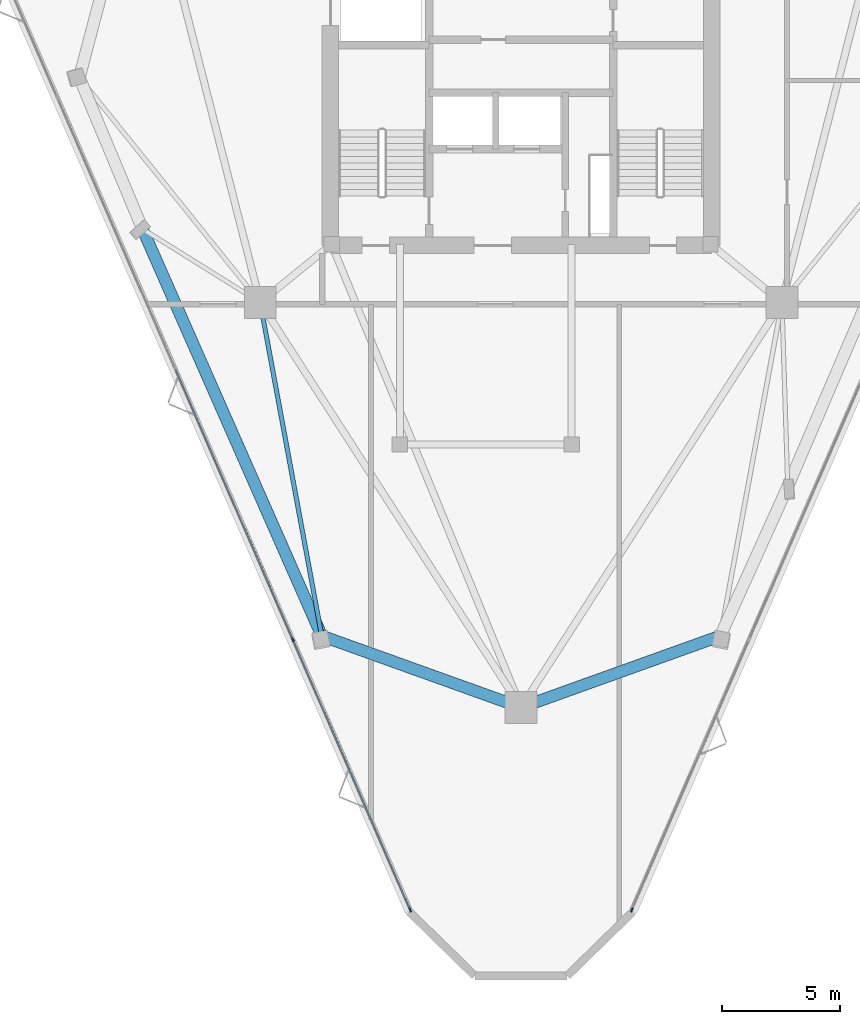
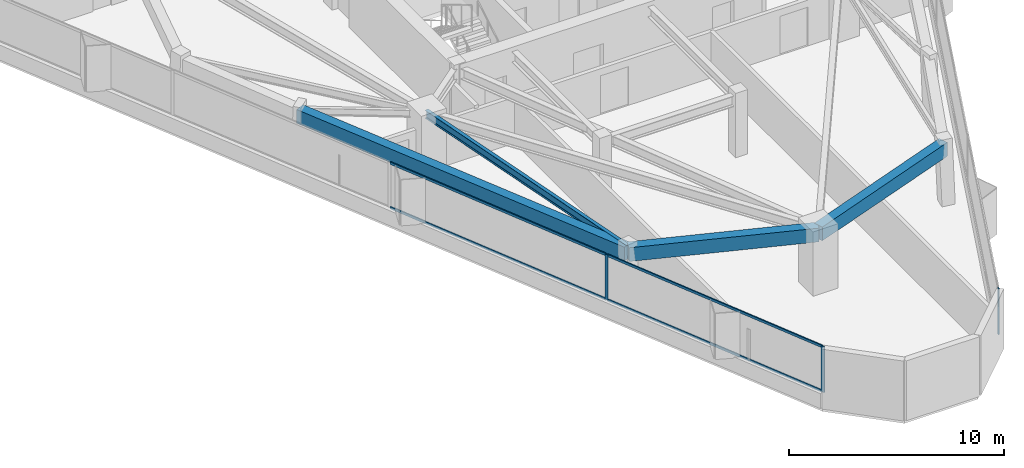
# One storey, part 2 of 12: 7 members, 4 beams, 2 elements without a shape of their own.
"""IFC4 building model written with IfcOpenShell, lengths in metres."""

import ifcopenshell
import ifcopenshell.guid

model = None  # the IFC model being written
_history = None  # IfcOwnerHistory: only IFC2X3 demands one
_inside = {}  # id of a spatial element -> (the spatial element, [elements in it])
_under = {}  # id of a project, library or spatial element -> (it, [spatial elements below it])
_declared = {}  # id of a project -> (the project, [libraries it declares])
_typed = {}  # id of a type object -> (the type object, [elements of that type])
_made_of = {}  # id of a material, layer set ... -> (it, [elements and type objects made of it])


def new_model(schema):
    """Start an empty IFC model of exactly this schema.

    Asked for "IFC4X3", IfcOpenShell would pick the latest addendum, in which some entities
    have other attributes; the version numbers below select the first issue.
    IFC2X3 requires an IfcOwnerHistory on every rooted entity: one is made here for all.
    """
    global model, _history
    if schema == "IFC4X3":
        model = ifcopenshell.file(schema_version=(4, 3, 0, 0))
    else:
        model = ifcopenshell.file(schema=schema)
    _inside.clear()
    _under.clear()
    _declared.clear()
    _typed.clear()
    _made_of.clear()
    _history = None
    if model.schema == "IFC2X3":
        org = make("IfcOrganization", Name="unknown")
        user = make(
            "IfcPersonAndOrganization",
            ThePerson=make("IfcPerson", FamilyName="unknown"),
            TheOrganization=org,
        )
        app = make(
            "IfcApplication",
            ApplicationDeveloper=org,
            Version="unknown",
            ApplicationFullName="unknown",
            ApplicationIdentifier="unknown",
        )
        _history = make(
            "IfcOwnerHistory",
            OwningUser=user,
            OwningApplication=app,
            ChangeAction="ADDED",
            CreationDate=0,
        )
    return model


def make(cls, **values):
    """One entity of the class cls with the attributes given. An attribute that is None is left unset."""
    return model.create_entity(
        cls, **{name: value for name, value in values.items() if value is not None}
    )


def rooted(cls, **values):
    """An entity with a GlobalId (a new one), such as an element, a storey or a relation."""
    return make(cls, GlobalId=ifcopenshell.guid.new(), OwnerHistory=_history, **values)


def si_unit(unit_type, name, prefix=None):
    """IfcSIUnit, for example si_unit("LENGTHUNIT", "METRE", prefix="MILLI")."""
    return make("IfcSIUnit", UnitType=unit_type, Prefix=prefix, Name=name)


def assignment(units):
    """IfcUnitAssignment: the units of a project."""
    return None if units is None else make("IfcUnitAssignment", Units=units)


def point(xyz):
    """IfcCartesianPoint."""
    return None if xyz is None else make("IfcCartesianPoint", Coordinates=xyz)


def direction(xyz):
    """IfcDirection."""
    return None if xyz is None else make("IfcDirection", DirectionRatios=xyz)


def frame(location, z_axis=None, x_axis=None):
    """IfcAxis2Placement3D, a coordinate frame: its origin and axes. An axis left out is left unset."""
    return make(
        "IfcAxis2Placement3D",
        Location=point(location),
        Axis=direction(z_axis),
        RefDirection=direction(x_axis),
    )


def frame_2d(location, x_axis=None):
    """IfcAxis2Placement2D, a coordinate frame in the plane: its origin and x axis."""
    return make(
        "IfcAxis2Placement2D", Location=point(location), RefDirection=direction(x_axis)
    )


def origin():
    """The frame at (0, 0, 0) with its axes left unset."""
    return frame((0.0, 0.0, 0.0))


def origin_2d():
    """The frame at (0, 0) in the plane with its x axis left unset."""
    return frame_2d((0.0, 0.0))


def place(relative_to, where):
    """IfcLocalPlacement: puts the frame where relative to a parent placement (None: the world)."""
    return make(
        "IfcLocalPlacement", PlacementRelTo=relative_to, RelativePlacement=where
    )


def context(
    kind, dimensions, precision=None, world=None, true_north=None, identifier=None
):
    """IfcGeometricRepresentationContext, for example the 3D "Model" context."""
    return make(
        "IfcGeometricRepresentationContext",
        ContextIdentifier=identifier,
        ContextType=kind,
        CoordinateSpaceDimension=dimensions,
        Precision=precision,
        WorldCoordinateSystem=world,
        TrueNorth=true_north,
    )


def subcontext(parent, identifier, kind, view, scale=None):
    """IfcGeometricRepresentationSubContext, for example "Body" below "Model"."""
    return make(
        "IfcGeometricRepresentationSubContext",
        ContextIdentifier=identifier,
        ContextType=kind,
        ParentContext=parent,
        TargetScale=scale,
        TargetView=view,
    )


def project(units=None, contexts=None):
    """IfcProject with its units and contexts."""
    return rooted(
        "IfcProject",
        Name="project",
        RepresentationContexts=contexts,
        UnitsInContext=assignment(units),
    )


def spatial(cls, under=None, at=None, **own):
    """A site, building, storey or space (cls), placed at a placement, below another one or the project."""
    s = rooted(cls, ObjectPlacement=at, **own)
    if under is not None:
        _under.setdefault(under.id(), (under, []))[1].append(s)
    return s


def profile(cls, at=None, kind="AREA", **sizes):
    """A parametric profile (cls). Its sizes go by their IFC names, for example OverallWidth=200.0."""
    return make(cls, ProfileType=kind, Position=at, **sizes)


def rectangle(**sizes):
    """IfcRectangleProfileDef."""
    return profile("IfcRectangleProfileDef", **sizes)


def i_section(**sizes):
    """IfcIShapeProfileDef."""
    return profile("IfcIShapeProfileDef", **sizes)


def extrude(swept, where, along, depth):
    """IfcExtrudedAreaSolid: the profile swept, set in the frame where, extruded along a direction by depth."""
    return make(
        "IfcExtrudedAreaSolid",
        SweptArea=swept,
        Position=where,
        ExtrudedDirection=direction(along),
        Depth=depth,
    )


def shape(context_of_items, identifier, shape_type, items):
    """IfcShapeRepresentation: the items that make up one representation, for example the "Body"."""
    return make(
        "IfcShapeRepresentation",
        ContextOfItems=context_of_items,
        RepresentationIdentifier=identifier,
        RepresentationType=shape_type,
        Items=items,
    )


def material(Name=None, Category=None):
    """IfcMaterial."""
    return make("IfcMaterial", Name=Name, Category=Category)


def layer(
    of_material, thickness, ventilated=None, Name=None, Category=None, Priority=None
):
    """IfcMaterialLayer: one layer of a wall or slab, of a material (None: an air gap)."""
    return make(
        "IfcMaterialLayer",
        Material=of_material,
        LayerThickness=thickness,
        IsVentilated=ventilated,
        Name=Name,
        Category=Category,
        Priority=Priority,
    )


def layer_set(layers, Name=None):
    """IfcMaterialLayerSet."""
    return make("IfcMaterialLayerSet", MaterialLayers=layers, LayerSetName=Name)


def material_profile(
    of_material, cross_section, Name=None, Category=None, Priority=None
):
    """IfcMaterialProfile: a cross section and its material."""
    return make(
        "IfcMaterialProfile",
        Name=Name,
        Material=of_material,
        Profile=cross_section,
        Priority=Priority,
        Category=Category,
    )


def profile_set(profiles, Name=None, composite=None):
    """IfcMaterialProfileSet."""
    return make(
        "IfcMaterialProfileSet",
        Name=Name,
        MaterialProfiles=profiles,
        CompositeProfile=composite,
    )


def made_of(thing, what):
    """Note that an element or type object is made of a material, layer set ...; save() writes the relation."""
    if what is not None:
        _made_of.setdefault(what.id(), (what, []))[1].append(thing)
    return thing


def type_object(cls, material=None, **own):
    """A type object (cls), such as IfcWallType, which elements share."""
    return made_of(rooted(cls, **own), material)


def element(
    cls,
    number,
    at=None,
    inside=None,
    cuts=None,
    type_object=None,
    material=None,
    context=None,
    identifier="Body",
    shape_type=None,
    held_by="IfcProductDefinitionShape",
    body=None,
    shapes=None,
    **own,
):
    """One element of the class cls, such as IfcWall. Its Tag is "e" and its number.

    at: its placement. inside: the storey or other place that contains it. cuts: it is an
    opening in that element (IfcRelVoidsElement). A single representation is given by context,
    identifier, shape_type and body (its items); several are given by shapes. held_by: the class
    of the entity that holds the representations. save() writes the other relations.
    """
    e = rooted(cls, Tag="e%d" % number, ObjectPlacement=at, **own)
    if body is not None:
        shapes = [shape(context, identifier, shape_type, body)]
    if shapes is not None:
        e.Representation = make(held_by, Representations=shapes)
    if inside is not None:
        _inside.setdefault(inside.id(), (inside, []))[1].append(e)
    if cuts is not None:
        rooted(
            "IfcRelVoidsElement", RelatingBuildingElement=cuts, RelatedOpeningElement=e
        )
    if type_object is not None:
        _typed.setdefault(type_object.id(), (type_object, []))[1].append(e)
    return made_of(e, material)


def aggregate(whole, parts):
    """IfcRelAggregates: a whole, such as a stair, and the parts it consists of."""
    return rooted("IfcRelAggregates", RelatingObject=whole, RelatedObjects=parts)


def save(model, path):
    """Write the relations noted so far, then the file.

    IfcRelAggregates (storeys below a building ...), IfcRelContainedInSpatialStructure (elements
    in a storey), IfcRelDefinesByType, IfcRelAssociatesMaterial and IfcRelDeclares: one each for
    every whole, place, type object, material and project.
    """
    for whole, parts in _under.values():
        aggregate(whole, parts)
    for where, things in _inside.values():
        rooted(
            "IfcRelContainedInSpatialStructure",
            RelatedElements=things,
            RelatingStructure=where,
        )
    for kind, things in _typed.values():
        rooted("IfcRelDefinesByType", RelatedObjects=things, RelatingType=kind)
    for what, things in _made_of.values():
        rooted("IfcRelAssociatesMaterial", RelatedObjects=things, RelatingMaterial=what)
    for by, libraries in _declared.values():
        rooted("IfcRelDeclares", RelatingContext=by, RelatedDefinitions=libraries)
    model.write(path)


model = new_model("IFC4")

# Units and contexts
model_context = context("Model", 3, precision=1e-05, world=origin(), true_north=direction((0.0, 1.0)))
body_context = subcontext(model_context, "Body", "Model", "MODEL_VIEW")
ifc_project = project(units=[si_unit("LENGTHUNIT", "METRE"), si_unit("AREAUNIT", "SQUARE_METRE"), si_unit("VOLUMEUNIT", "CUBIC_METRE"), si_unit("PLANEANGLEUNIT", "RADIAN"), si_unit("MASSUNIT", "GRAM", prefix="KILO")], contexts=[model_context])

# Site, building, storey
site_placement = place(None, origin())
site = spatial("IfcSite", under=ifc_project, at=site_placement, CompositionType="ELEMENT")
building_placement = place(site_placement, origin())
building = spatial("IfcBuilding", under=site, at=building_placement, Name="Talyreon Biosciences Tower", CompositionType="ELEMENT")
storey_placement = place(building_placement, frame((0.0, 0.0, 215.89990234375)))
storey = spatial("IfcBuildingStorey", under=building, at=storey_placement, Name="L57", CompositionType="ELEMENT", Elevation=215.89990234375)

# Curtain wall, members
ifc_material_1 = material(Name="Thermally broken aluminium and low-E glazing", Category="aluminium")
ifc_layer = layer(ifc_material_1, 0.179931640625)
ifc_layer_set = layer_set([ifc_layer], Name="Thermally broken aluminium and low-E glazing")
curtain_wall_type = type_object("IfcCurtainWallType", Name="CurtainWall_Zone4Optical", PredefinedType="NOTDEFINED", material=ifc_layer_set)
curtain_wall_1_placement = place(storey_placement, origin())
curtain_wall_1 = element("IfcCurtainWall", 1, at=curtain_wall_1_placement, inside=storey, type_object=curtain_wall_type, Name="L57 Unitised Curtain Wall FCW-L57-00", PredefinedType="NOTDEFINED")
ifc_material_2 = material(Name="Anodised thermally broken aluminium", Category="aluminium")
ifc_material_profile_1 = material_profile(ifc_material_2, rectangle(XDim=0.06494140625, YDim=0.179931640625, at=origin_2d()), Name="ALUM MULLION 65x180")
ifc_profile_set_1 = profile_set([ifc_material_profile_1], Name="Anodised thermally broken aluminium")
member_type_1 = type_object("IfcMemberType", Name="CWMullion_65x180", PredefinedType="MULLION", material=ifc_profile_set_1)
member_1_placement = place(storey_placement, frame((61.290771484375, 33.060546875, 0.81005859375), z_axis=(0.0, 0.0, 1.0), x_axis=(-0.917221993355, -0.398376473835, 0.0)))
member_1 = element("IfcMember", 2, at=member_1_placement, type_object=member_type_1, Name="CW5 mullion 1", PredefinedType="MULLION", context=body_context, shape_type="SweptSolid", body=[
    extrude(rectangle(XDim=0.06494140625, YDim=0.179931640625, at=origin_2d()), origin(), (0.0, 0.0, 1.0), 2.590087890625),
])
member_2_placement = place(storey_placement, frame((56.3037109375, 44.542724609375, 0.81005859375), z_axis=(0.0, 0.0, 1.0), x_axis=(-0.917221993355, -0.398376473835, 0.0)))
member_2 = element("IfcMember", 3, at=member_2_placement, type_object=member_type_1, Name="CW5 mullion 2", PredefinedType="MULLION", context=body_context, shape_type="SweptSolid", body=[
    extrude(rectangle(XDim=0.06494140625, YDim=0.179931640625, at=origin_2d()), origin(), (0.0, 0.0, 1.0), 2.590087890625),
])

# Curtain wall, member
curtain_wall_2_placement = place(storey_placement, origin())
curtain_wall_2 = element("IfcCurtainWall", 4, at=curtain_wall_2_placement, inside=storey, type_object=curtain_wall_type, Name="L57 Unitised Curtain Wall FCW-L57-08", PredefinedType="NOTDEFINED")
member_3_placement = place(storey_placement, frame((70.709228515625, 33.060546875, 0.81005859375), z_axis=(0.0, 0.0, 1.0), x_axis=(0.917221993355, -0.398376473835, 0.0)))
member_3 = element("IfcMember", 5, at=member_3_placement, type_object=member_type_1, Name="CW5 mullion 5", PredefinedType="MULLION", context=body_context, shape_type="SweptSolid", body=[
    extrude(rectangle(XDim=0.06494140625, YDim=0.179931640625, at=origin_2d()), origin(), (0.0, 0.0, 1.0), 2.590087890625),
])
aggregate(curtain_wall_2, [member_3])

# Member
ifc_material_profile_2 = material_profile(ifc_material_2, rectangle(XDim=0.06494140625, YDim=0.139892578125, at=origin_2d()), Name="ALUM TRANSOM 65x140")
ifc_profile_set_2 = profile_set([ifc_material_profile_2], Name="Anodised thermally broken aluminium")
member_type_2 = type_object("IfcMemberType", Name="CWTransom_65x140", PredefinedType="USERDEFINED", material=ifc_profile_set_2)
member_4_placement = place(storey_placement, frame((61.27783203125, 33.09033203125, 0.842529296875), z_axis=(-0.398376978135, 0.917221774323, 0.0), x_axis=(-0.917221774323, -0.398376978135, 0.0)))
member_4 = element("IfcMember", 6, at=member_4_placement, type_object=member_type_2, Name="CW5 transom 1.1", ObjectType="TRANSOM", PredefinedType="USERDEFINED", context=body_context, shape_type="SweptSolid", body=[
    extrude(rectangle(XDim=0.06494140625, YDim=0.139892578125, at=origin_2d()), origin(), (0.0, 0.0, 1.0), 12.453369140625),
])

member_5_placement = place(storey_placement, frame((61.27783203125, 33.09033203125, 3.36767578125), z_axis=(-0.398376978135, 0.917221774323, 0.0), x_axis=(-0.917221774323, -0.398376978135, 0.0)))
member_5 = element("IfcMember", 7, at=member_5_placement, type_object=member_type_2, Name="CW5 transom 1.2", ObjectType="TRANSOM", PredefinedType="USERDEFINED", context=body_context, shape_type="SweptSolid", body=[
    extrude(rectangle(XDim=0.06494140625, YDim=0.139892578125, at=origin_2d()), origin(), (0.0, 0.0, 1.0), 12.453369140625),
])

member_6_placement = place(storey_placement, frame((56.290771484375, 44.572509765625, 0.842529296875), z_axis=(-0.39837717116, 0.917221690486, 0.0), x_axis=(-0.917221690486, -0.39837717116, 0.0)))
member_6 = element("IfcMember", 8, at=member_6_placement, type_object=member_type_2, Name="CW5 transom 2.1", ObjectType="TRANSOM", PredefinedType="USERDEFINED", context=body_context, shape_type="SweptSolid", body=[
    extrude(rectangle(XDim=0.06494140625, YDim=0.139892578125, at=origin_2d()), origin(), (0.0, 0.0, 1.0), 12.48583984375),
])

member_7_placement = place(storey_placement, frame((56.290771484375, 44.572509765625, 3.36767578125), z_axis=(-0.39837717116, 0.917221690486, 0.0), x_axis=(-0.917221690486, -0.39837717116, 0.0)))
member_7 = element("IfcMember", 9, at=member_7_placement, type_object=member_type_2, Name="CW5 transom 2.2", ObjectType="TRANSOM", PredefinedType="USERDEFINED", context=body_context, shape_type="SweptSolid", body=[
    extrude(rectangle(XDim=0.06494140625, YDim=0.139892578125, at=origin_2d()), origin(), (0.0, 0.0, 1.0), 12.48583984375),
])

aggregate(curtain_wall_1, [member_1, member_2, member_4, member_5, member_6, member_7])

# Beams
ifc_material_3 = material(Name="Precast concrete C45/55", Category="concrete")
ifc_material_profile_3 = material_profile(ifc_material_3, rectangle(XDim=0.5, YDim=0.780029296875, at=origin_2d()), Name="RCB 500x780")
ifc_profile_set_3 = profile_set([ifc_material_profile_3], Name="Precast concrete C45/55")
beam_type_1 = type_object("IfcBeamType", Name="ExpressedSpandrel_500x780", PredefinedType="SPANDREL", material=ifc_profile_set_3)
beam_1_placement = place(storey_placement, frame((66.0, 41.6669921875, 3.010009765625), z_axis=(0.941199316139, 0.337851812633, 0.0), x_axis=(-0.337851812633, 0.941199316139, 0.0)))
element("IfcBeam", 10, at=beam_1_placement, inside=storey, type_object=beam_type_1, Name="L57 Expressed Horizontal Concrete Spandrel 01", PredefinedType="SPANDREL", context=body_context, shape_type="SweptSolid", body=[
    extrude(rectangle(XDim=0.5, YDim=0.780029296875, at=origin_2d()), origin(), (0.0, 0.0, 1.0), 8.998779296875),
])
beam_2_placement = place(storey_placement, frame((49.91015625, 62.00537109375, 3.010009765625), z_axis=(0.403135493633, -0.915140302781, 0.0), x_axis=(0.915140302781, 0.403135493633, 0.0)))
element("IfcBeam", 11, at=beam_2_placement, inside=storey, type_object=beam_type_1, Name="L57 Expressed Horizontal Concrete Spandrel 11", PredefinedType="SPANDREL", context=body_context, shape_type="SweptSolid", body=[
    extrude(rectangle(XDim=0.5, YDim=0.780029296875, at=origin_2d()), origin(), (0.0, 0.0, 1.0), 18.902099609375),
])
beam_3_placement = place(storey_placement, frame((57.5302734375, 44.707275390625, 3.010009765625), z_axis=(0.941199316139, -0.337851812633, 0.0), x_axis=(0.337851812633, 0.941199316139, 0.0)))
element("IfcBeam", 12, at=beam_3_placement, inside=storey, type_object=beam_type_1, Name="L57 Expressed Horizontal Concrete Spandrel 12", PredefinedType="SPANDREL", context=body_context, shape_type="SweptSolid", body=[
    extrude(rectangle(XDim=0.5, YDim=0.780029296875, at=origin_2d()), origin(), (0.0, 0.0, 1.0), 8.998779296875),
])
ifc_material_4 = material(Name="Steel SM355", Category="steel")
ifc_material_profile_4 = material_profile(ifc_material_4, i_section(OverallWidth=0.18994140625, OverallDepth=0.449951171875, WebThickness=0.009521484375, FlangeThickness=0.0146484375, FilletRadius=0.02099609375, at=origin_2d()), Name="IPE450")
ifc_profile_set_4 = profile_set([ifc_material_profile_4], Name="Steel SM355")
beam_type_2 = type_object("IfcBeamType", Name="SteelJoist_IPE450", PredefinedType="JOIST", material=ifc_profile_set_4)
beam_4_placement = place(storey_placement, frame((54.913818359375, 58.88037109375, 3.175048828125), z_axis=(0.181539666927, -0.983383622668, 0.0), x_axis=(0.983383622668, 0.181539666927, 0.0)))
element("IfcBeam", 13, at=beam_4_placement, inside=storey, type_object=beam_type_2, Name="L57 Radial Composite Floor Joist PC-SW2", PredefinedType="JOIST", context=body_context, shape_type="SweptSolid", body=[
    extrude(i_section(OverallWidth=0.18994140625, OverallDepth=0.449951171875, WebThickness=0.009521484375, FlangeThickness=0.0146484375, FilletRadius=0.02099609375, at=origin_2d()), origin(), (0.0, 0.0, 1.0), 14.41259765625),
])

save(model, "model.ifc")
